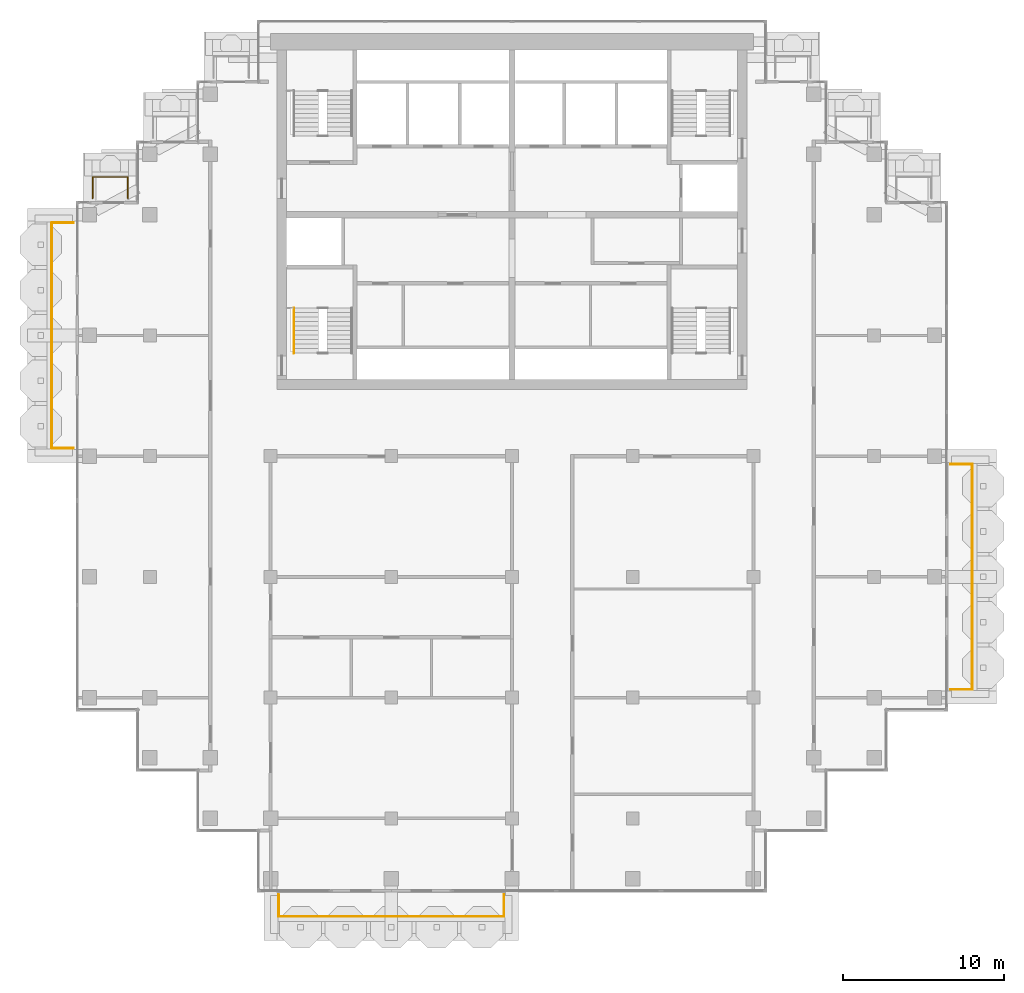
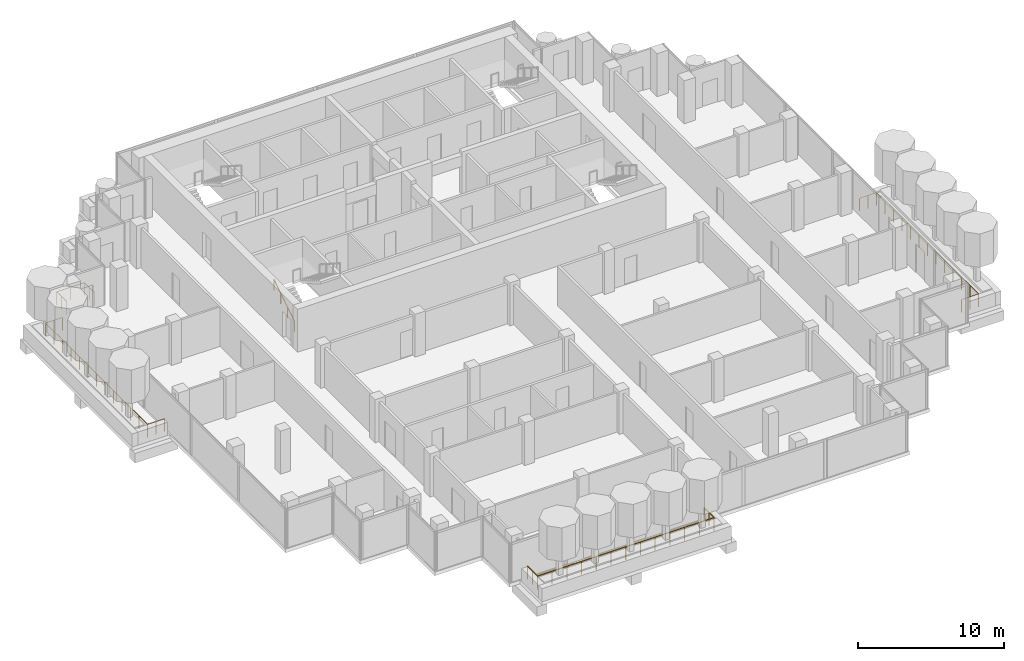
# One storey, part 16 of 18: 5 railings.
"""IFC4 building model written with IfcOpenShell, lengths in metres."""

from ifc_helpers import new_model, si_unit, direction, frame, origin, origin_2d, place, context, subcontext, project, spatial, circle, extrude, material, type_object, element, save


model = new_model("IFC4")

# Units and contexts
model_context = context("Model", 3, precision=1e-05, world=origin(), true_north=direction((0.0, 1.0)))
body_context = subcontext(model_context, "Body", "Model", "MODEL_VIEW")
ifc_project = project(units=[si_unit("LENGTHUNIT", "METRE"), si_unit("AREAUNIT", "SQUARE_METRE"), si_unit("VOLUMEUNIT", "CUBIC_METRE"), si_unit("PLANEANGLEUNIT", "RADIAN"), si_unit("MASSUNIT", "GRAM", prefix="KILO")], contexts=[model_context])

# Site, building, storey
site_placement = place(None, origin())
site = spatial("IfcSite", under=ifc_project, at=site_placement, CompositionType="ELEMENT")
building_placement = place(site_placement, origin())
building = spatial("IfcBuilding", under=site, at=building_placement, Name="Pilkhan Gate Tower", CompositionType="ELEMENT")
storey_placement = place(building_placement, frame((0.0, 0.0, 242.699951171875)))
storey = spatial("IfcBuildingStorey", under=building, at=storey_placement, Name="L63", CompositionType="ELEMENT", Elevation=242.699951171875)

# Railings
ifc_material_1 = material(Name="Pale anodised aluminium posts, laminated glass infill", Category="aluminium")
railing_type_1 = type_object("IfcRailingType", Name="Balcony guard G1", PredefinedType="BALUSTRADE", material=ifc_material_1)
railing_1_placement = place(storey_placement, frame((60.5, 40.25, 0.0)))
element("IfcRailing", 1, at=railing_1_placement, inside=storey, type_object=railing_type_1, Name="Balcony guard L63 S", PredefinedType="BALUSTRADE", context=body_context, shape_type="SweptSolid", body=[
    extrude(circle(Radius=0.02392578125, at=origin_2d()), frame((0.0, 0.0, 1.076171875), z_axis=(0.0, -1.0, 0.0), x_axis=(1.0, 0.0, 0.0)), (0.0, 0.0, 1.0), 1.35009765625),
    extrude(circle(Radius=0.02392578125, at=origin_2d()), frame((0.0, -1.35009765625, 1.076171875), z_axis=(1.0, 0.0, 0.0), x_axis=(0.0, 1.0, 0.0)), (0.0, 0.0, 1.0), 14.0),
    extrude(circle(Radius=0.02392578125, at=origin_2d()), frame((14.0, -1.35009765625, 1.076171875), z_axis=(0.0, 1.0, 0.0), x_axis=(-1.0, 0.0, 0.0)), (0.0, 0.0, 1.0), 1.35009765625),
    extrude(circle(Radius=0.02099609375, at=origin_2d()), origin(), (0.0, 0.0, 1.0), 1.052001953125),
    extrude(circle(Radius=0.02099609375, at=origin_2d()), frame((0.0, -0.675048828125, 0.0)), (0.0, 0.0, 1.0), 1.052001953125),
    extrude(circle(Radius=0.02099609375, at=origin_2d()), frame((0.0, -1.35009765625, 0.0)), (0.0, 0.0, 1.0), 1.052001953125),
    extrude(circle(Radius=0.02099609375, at=origin_2d()), frame((1.166748046875, -1.35009765625, 0.0)), (0.0, 0.0, 1.0), 1.052001953125),
    extrude(circle(Radius=0.02099609375, at=origin_2d()), frame((2.333251953125, -1.35009765625, 0.0)), (0.0, 0.0, 1.0), 1.052001953125),
    extrude(circle(Radius=0.02099609375, at=origin_2d()), frame((3.5, -1.35009765625, 0.0)), (0.0, 0.0, 1.0), 1.052001953125),
    extrude(circle(Radius=0.02099609375, at=origin_2d()), frame((4.666748046875, -1.35009765625, 0.0)), (0.0, 0.0, 1.0), 1.052001953125),
    extrude(circle(Radius=0.02099609375, at=origin_2d()), frame((5.833251953125, -1.35009765625, 0.0)), (0.0, 0.0, 1.0), 1.052001953125),
    extrude(circle(Radius=0.02099609375, at=origin_2d()), frame((7.0, -1.35009765625, 0.0)), (0.0, 0.0, 1.0), 1.052001953125),
    extrude(circle(Radius=0.02099609375, at=origin_2d()), frame((8.166748046875, -1.35009765625, 0.0)), (0.0, 0.0, 1.0), 1.052001953125),
    extrude(circle(Radius=0.02099609375, at=origin_2d()), frame((9.333251953125, -1.35009765625, 0.0)), (0.0, 0.0, 1.0), 1.052001953125),
    extrude(circle(Radius=0.02099609375, at=origin_2d()), frame((10.5, -1.35009765625, 0.0)), (0.0, 0.0, 1.0), 1.052001953125),
    extrude(circle(Radius=0.02099609375, at=origin_2d()), frame((11.666748046875, -1.35009765625, 0.0)), (0.0, 0.0, 1.0), 1.052001953125),
    extrude(circle(Radius=0.02099609375, at=origin_2d()), frame((12.833251953125, -1.35009765625, 0.0)), (0.0, 0.0, 1.0), 1.052001953125),
    extrude(circle(Radius=0.02099609375, at=origin_2d()), frame((14.0, -1.35009765625, 0.0)), (0.0, 0.0, 1.0), 1.052001953125),
    extrude(circle(Radius=0.02099609375, at=origin_2d()), frame((14.0, -0.675048828125, 0.0)), (0.0, 0.0, 1.0), 1.052001953125),
    extrude(circle(Radius=0.02099609375, at=origin_2d()), frame((14.0, 0.0, 0.0)), (0.0, 0.0, 1.0), 1.052001953125),
])
railing_2_placement = place(storey_placement, frame((102.25, 53.0, 0.0)))
element("IfcRailing", 2, at=railing_2_placement, inside=storey, type_object=railing_type_1, Name="Balcony guard L63 E", PredefinedType="BALUSTRADE", context=body_context, shape_type="SweptSolid", body=[
    extrude(circle(Radius=0.02392578125, at=origin_2d()), frame((0.0, 0.0, 1.076171875), z_axis=(1.0, 0.0, 0.0), x_axis=(0.0, 1.0, 0.0)), (0.0, 0.0, 1.0), 1.35009765625),
    extrude(circle(Radius=0.02392578125, at=origin_2d()), frame((1.35009765625, 0.0, 1.076171875), z_axis=(0.0, 1.0, 0.0), x_axis=(-1.0, 0.0, 0.0)), (0.0, 0.0, 1.0), 14.0),
    extrude(circle(Radius=0.02392578125, at=origin_2d()), frame((1.35009765625, 14.0, 1.076171875), z_axis=(-1.0, 0.0, 0.0), x_axis=(0.0, -1.0, 0.0)), (0.0, 0.0, 1.0), 1.35009765625),
    extrude(circle(Radius=0.02099609375, at=origin_2d()), origin(), (0.0, 0.0, 1.0), 1.052001953125),
    extrude(circle(Radius=0.02099609375, at=origin_2d()), frame((0.675048828125, 0.0, 0.0)), (0.0, 0.0, 1.0), 1.052001953125),
    extrude(circle(Radius=0.02099609375, at=origin_2d()), frame((1.35009765625, 0.0, 0.0)), (0.0, 0.0, 1.0), 1.052001953125),
    extrude(circle(Radius=0.02099609375, at=origin_2d()), frame((1.35009765625, 1.166748046875, 0.0)), (0.0, 0.0, 1.0), 1.052001953125),
    extrude(circle(Radius=0.02099609375, at=origin_2d()), frame((1.35009765625, 2.333251953125, 0.0)), (0.0, 0.0, 1.0), 1.052001953125),
    extrude(circle(Radius=0.02099609375, at=origin_2d()), frame((1.35009765625, 3.5, 0.0)), (0.0, 0.0, 1.0), 1.052001953125),
    extrude(circle(Radius=0.02099609375, at=origin_2d()), frame((1.35009765625, 4.666748046875, 0.0)), (0.0, 0.0, 1.0), 1.052001953125),
    extrude(circle(Radius=0.02099609375, at=origin_2d()), frame((1.35009765625, 5.833251953125, 0.0)), (0.0, 0.0, 1.0), 1.052001953125),
    extrude(circle(Radius=0.02099609375, at=origin_2d()), frame((1.35009765625, 7.0, 0.0)), (0.0, 0.0, 1.0), 1.052001953125),
    extrude(circle(Radius=0.02099609375, at=origin_2d()), frame((1.35009765625, 8.166748046875, 0.0)), (0.0, 0.0, 1.0), 1.052001953125),
    extrude(circle(Radius=0.02099609375, at=origin_2d()), frame((1.35009765625, 9.333251953125, 0.0)), (0.0, 0.0, 1.0), 1.052001953125),
    extrude(circle(Radius=0.02099609375, at=origin_2d()), frame((1.35009765625, 10.5, 0.0)), (0.0, 0.0, 1.0), 1.052001953125),
    extrude(circle(Radius=0.02099609375, at=origin_2d()), frame((1.35009765625, 11.666748046875, 0.0)), (0.0, 0.0, 1.0), 1.052001953125),
    extrude(circle(Radius=0.02099609375, at=origin_2d()), frame((1.35009765625, 12.833251953125, 0.0)), (0.0, 0.0, 1.0), 1.052001953125),
    extrude(circle(Radius=0.02099609375, at=origin_2d()), frame((1.35009765625, 14.0, 0.0)), (0.0, 0.0, 1.0), 1.052001953125),
    extrude(circle(Radius=0.02099609375, at=origin_2d()), frame((0.675048828125, 14.0, 0.0)), (0.0, 0.0, 1.0), 1.052001953125),
    extrude(circle(Radius=0.02099609375, at=origin_2d()), frame((0.0, 14.0, 0.0)), (0.0, 0.0, 1.0), 1.052001953125),
])
railing_3_placement = place(storey_placement, frame((48.949951171875, 83.52001953125, 0.0)))
element("IfcRailing", 3, at=railing_3_placement, inside=storey, type_object=railing_type_1, Name="Balcony guard L63 N", PredefinedType="BALUSTRADE", context=body_context, shape_type="SweptSolid", body=[
    extrude(circle(Radius=0.02392578125, at=origin_2d()), frame((0.0, 0.0, 1.076171875), z_axis=(0.0, 1.0, 0.0), x_axis=(-1.0, 0.0, 0.0)), (0.0, 0.0, 1.0), 1.330078125),
    extrude(circle(Radius=0.02392578125, at=origin_2d()), frame((0.0, 1.330078125, 1.076171875), z_axis=(1.0, 0.0, 0.0), x_axis=(0.0, 1.0, 0.0)), (0.0, 0.0, 1.0), 2.179931640625),
    extrude(circle(Radius=0.02392578125, at=origin_2d()), frame((2.179931640625, 1.330078125, 1.076171875), z_axis=(0.0, -1.0, 0.0), x_axis=(1.0, 0.0, 0.0)), (0.0, 0.0, 1.0), 1.330078125),
    extrude(circle(Radius=0.02099609375, at=origin_2d()), origin(), (0.0, 0.0, 1.0), 1.052001953125),
    extrude(circle(Radius=0.02099609375, at=origin_2d()), frame((0.0, 0.6650390625, 0.0)), (0.0, 0.0, 1.0), 1.052001953125),
    extrude(circle(Radius=0.02099609375, at=origin_2d()), frame((0.0, 1.330078125, 0.0)), (0.0, 0.0, 1.0), 1.052001953125),
    extrude(circle(Radius=0.02099609375, at=origin_2d()), frame((1.08984375, 1.330078125, 0.0)), (0.0, 0.0, 1.0), 1.052001953125),
    extrude(circle(Radius=0.02099609375, at=origin_2d()), frame((2.179931640625, 1.330078125, 0.0)), (0.0, 0.0, 1.0), 1.052001953125),
    extrude(circle(Radius=0.02099609375, at=origin_2d()), frame((2.179931640625, 0.6650390625, 0.0)), (0.0, 0.0, 1.0), 1.052001953125),
    extrude(circle(Radius=0.02099609375, at=origin_2d()), frame((2.179931640625, 0.0, 0.0)), (0.0, 0.0, 1.0), 1.052001953125),
])
railing_4_placement = place(storey_placement, frame((47.75, 68.0, 0.0)))
element("IfcRailing", 4, at=railing_4_placement, inside=storey, type_object=railing_type_1, Name="Balcony guard L63 W", PredefinedType="BALUSTRADE", context=body_context, shape_type="SweptSolid", body=[
    extrude(circle(Radius=0.02392578125, at=origin_2d()), frame((0.0, 0.0, 1.076171875), z_axis=(-1.0, 0.0, 0.0), x_axis=(0.0, -1.0, 0.0)), (0.0, 0.0, 1.0), 1.35009765625),
    extrude(circle(Radius=0.02392578125, at=origin_2d()), frame((-1.35009765625, 0.0, 1.076171875), z_axis=(0.0, 1.0, 0.0), x_axis=(-1.0, 0.0, 0.0)), (0.0, 0.0, 1.0), 14.0),
    extrude(circle(Radius=0.02392578125, at=origin_2d()), frame((-1.35009765625, 14.0, 1.076171875), z_axis=(1.0, 0.0, 0.0), x_axis=(0.0, 1.0, 0.0)), (0.0, 0.0, 1.0), 1.35009765625),
    extrude(circle(Radius=0.02099609375, at=origin_2d()), origin(), (0.0, 0.0, 1.0), 1.052001953125),
    extrude(circle(Radius=0.02099609375, at=origin_2d()), frame((-0.675048828125, 0.0, 0.0)), (0.0, 0.0, 1.0), 1.052001953125),
    extrude(circle(Radius=0.02099609375, at=origin_2d()), frame((-1.35009765625, 0.0, 0.0)), (0.0, 0.0, 1.0), 1.052001953125),
    extrude(circle(Radius=0.02099609375, at=origin_2d()), frame((-1.35009765625, 1.166748046875, 0.0)), (0.0, 0.0, 1.0), 1.052001953125),
    extrude(circle(Radius=0.02099609375, at=origin_2d()), frame((-1.35009765625, 2.333251953125, 0.0)), (0.0, 0.0, 1.0), 1.052001953125),
    extrude(circle(Radius=0.02099609375, at=origin_2d()), frame((-1.35009765625, 3.5, 0.0)), (0.0, 0.0, 1.0), 1.052001953125),
    extrude(circle(Radius=0.02099609375, at=origin_2d()), frame((-1.35009765625, 4.666748046875, 0.0)), (0.0, 0.0, 1.0), 1.052001953125),
    extrude(circle(Radius=0.02099609375, at=origin_2d()), frame((-1.35009765625, 5.833251953125, 0.0)), (0.0, 0.0, 1.0), 1.052001953125),
    extrude(circle(Radius=0.02099609375, at=origin_2d()), frame((-1.35009765625, 7.0, 0.0)), (0.0, 0.0, 1.0), 1.052001953125),
    extrude(circle(Radius=0.02099609375, at=origin_2d()), frame((-1.35009765625, 8.166748046875, 0.0)), (0.0, 0.0, 1.0), 1.052001953125),
    extrude(circle(Radius=0.02099609375, at=origin_2d()), frame((-1.35009765625, 9.333251953125, 0.0)), (0.0, 0.0, 1.0), 1.052001953125),
    extrude(circle(Radius=0.02099609375, at=origin_2d()), frame((-1.35009765625, 10.5, 0.0)), (0.0, 0.0, 1.0), 1.052001953125),
    extrude(circle(Radius=0.02099609375, at=origin_2d()), frame((-1.35009765625, 11.666748046875, 0.0)), (0.0, 0.0, 1.0), 1.052001953125),
    extrude(circle(Radius=0.02099609375, at=origin_2d()), frame((-1.35009765625, 12.833251953125, 0.0)), (0.0, 0.0, 1.0), 1.052001953125),
    extrude(circle(Radius=0.02099609375, at=origin_2d()), frame((-1.35009765625, 14.0, 0.0)), (0.0, 0.0, 1.0), 1.052001953125),
    extrude(circle(Radius=0.02099609375, at=origin_2d()), frame((-0.675048828125, 14.0, 0.0)), (0.0, 0.0, 1.0), 1.052001953125),
    extrude(circle(Radius=0.02099609375, at=origin_2d()), frame((0.0, 14.0, 0.0)), (0.0, 0.0, 1.0), 1.052001953125),
])
ifc_material_2 = material(Name="Black powder-coated steel tube", Category="steel")
railing_type_2 = type_object("IfcRailingType", Name="Stair handrail HR1", PredefinedType="HANDRAIL", material=ifc_material_2)
railing_5_placement = place(storey_placement, frame((61.449951171875, 73.89990234375, 0.0)))
element("IfcRailing", 5, at=railing_5_placement, inside=storey, type_object=railing_type_2, Name="Stair ST2 handrail L63", PredefinedType="HANDRAIL", context=body_context, shape_type="SweptSolid", body=[
    extrude(circle(Radius=0.02392578125, at=origin_2d()), frame((0.0, 0.0, 0.8759765625), z_axis=(0.0, 0.841176092368, 0.540761298198), x_axis=(-1.0, 0.0, 0.0)), (0.0, 0.0, 1.0), 3.32861328125),
    extrude(circle(Radius=0.02099609375, at=origin_2d()), origin(), (0.0, 0.0, 1.0), 0.851806640625),
    extrude(circle(Radius=0.02099609375, at=origin_2d()), frame((0.0, 0.933349609375, 0.60009765625)), (0.0, 0.0, 1.0), 0.851806640625),
    extrude(circle(Radius=0.02099609375, at=origin_2d()), frame((0.0, 1.86669921875, 1.199951171875)), (0.0, 0.0, 1.0), 0.851806640625),
    extrude(circle(Radius=0.02099609375, at=origin_2d()), frame((0.0, 2.800048828125, 1.800048828125)), (0.0, 0.0, 1.0), 0.851806640625),
])

save(model, "model.ifc")
